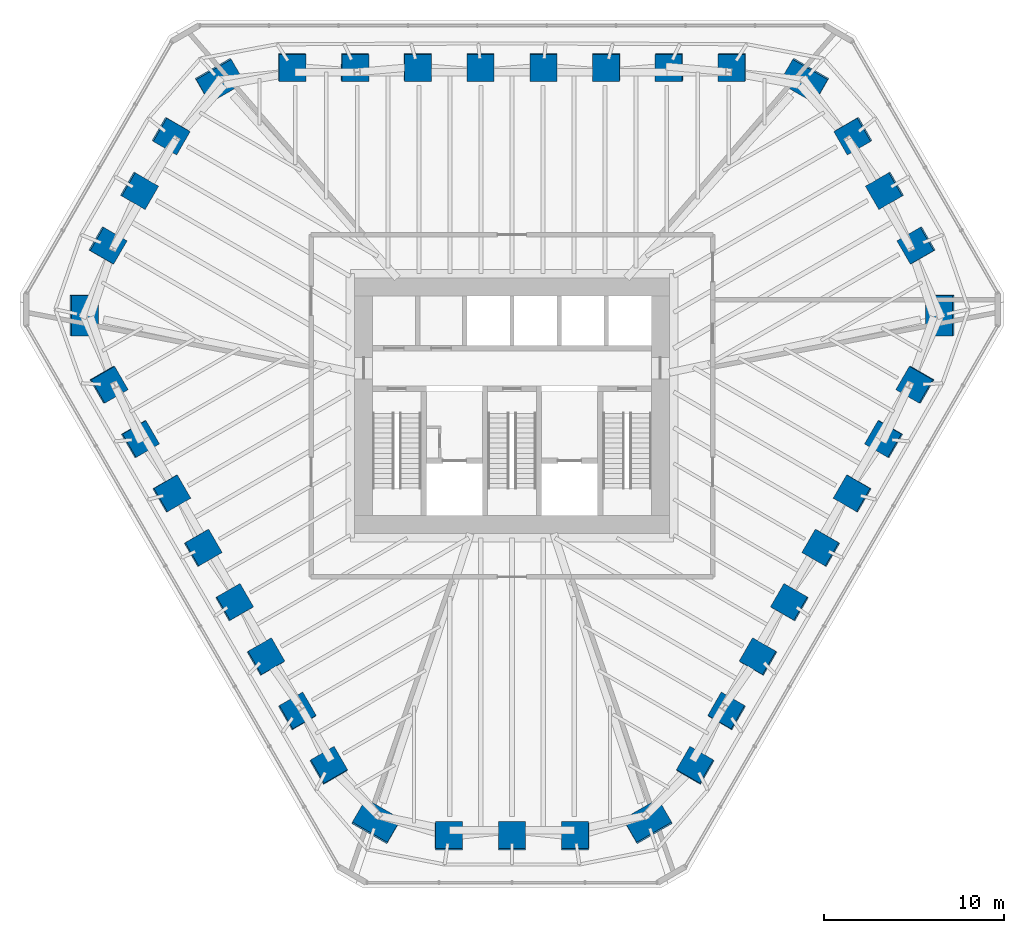
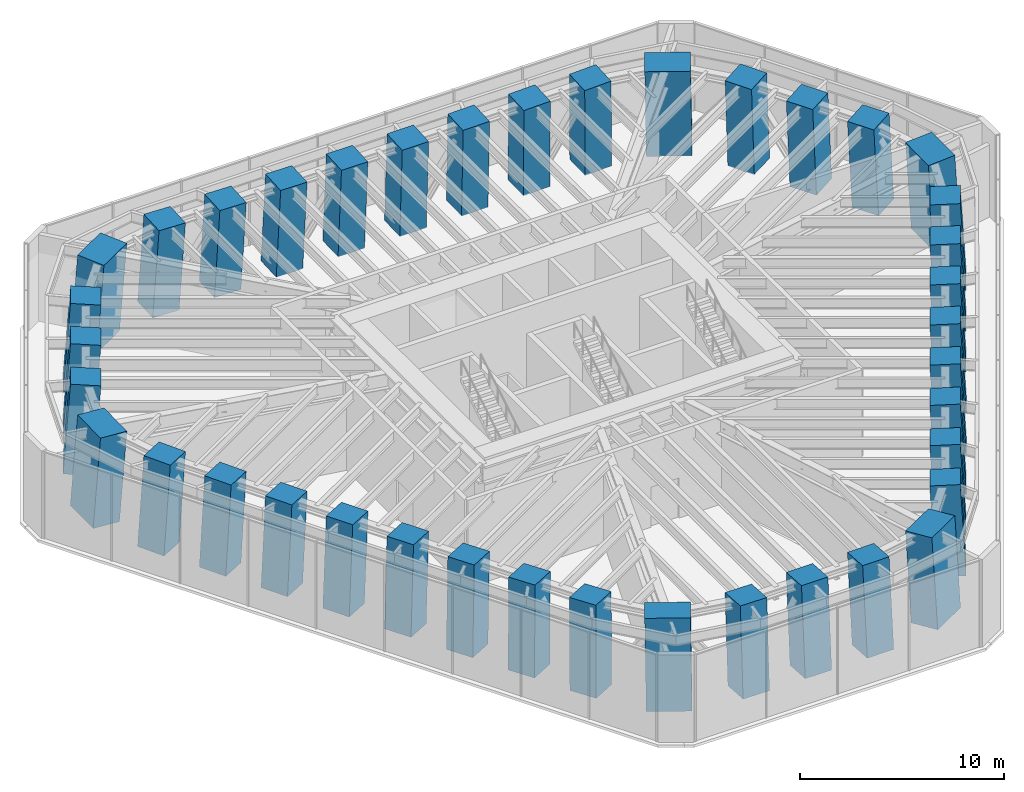
# One storey, part 1 of 13: 39 columns.
"""IFC4 building model written with IfcOpenShell, lengths in metres."""

from ifc_helpers import new_model, si_unit, direction, frame, origin, origin_2d, place, context, subcontext, project, spatial, rectangle, extrude, material, material_profile, profile_set, type_object, element, save


model = new_model("IFC4")

# Units and contexts
model_context = context("Model", 3, precision=1e-05, world=origin(), true_north=direction((0.0, 1.0)))
body_context = subcontext(model_context, "Body", "Model", "MODEL_VIEW")
ifc_project = project(units=[si_unit("LENGTHUNIT", "METRE"), si_unit("AREAUNIT", "SQUARE_METRE"), si_unit("VOLUMEUNIT", "CUBIC_METRE"), si_unit("PLANEANGLEUNIT", "RADIAN"), si_unit("MASSUNIT", "GRAM", prefix="KILO")], contexts=[model_context])

# Site, building, storey
site_placement = place(None, origin())
site = spatial("IfcSite", under=ifc_project, at=site_placement, CompositionType="ELEMENT")
building_placement = place(site_placement, origin())
building = spatial("IfcBuilding", under=site, at=building_placement, Name="Sandreach Pilgrim Tower", CompositionType="ELEMENT")
storey_placement = place(building_placement, frame((0.0, 0.0, 251.60009765625)))
storey = spatial("IfcBuildingStorey", under=building, at=storey_placement, Name="L63", CompositionType="ELEMENT", Elevation=251.60009765625)

# Columns
ifc_material_1 = material(Name="Concrete 10000 psi", Category="concrete")
ifc_material_profile_1 = material_profile(ifc_material_1, rectangle(XDim=1.5, YDim=1.5, at=origin_2d()), Name="RC1500X1500")
ifc_profile_set_1 = profile_set([ifc_material_profile_1], Name="Concrete 10000 psi")
column_type_1 = type_object("IfcColumnType", Name="Raked tube column RC1500X1500", PredefinedType="COLUMN", material=ifc_profile_set_1)
column_1_placement = place(storey_placement, frame((-12.246826171875, 18.85791015625, 0.0), z_axis=(0.035406986741, -0.054549602798, 0.997883102435), x_axis=(0.00218109941, 0.998511031505, 0.054506538759)))
element("IfcColumn", 1, at=column_1_placement, inside=storey, type_object=column_type_1, Name="COL L63 T01", PredefinedType="COLUMN", context=body_context, shape_type="SweptSolid", body=[
    extrude(rectangle(XDim=1.5, YDim=1.5, at=origin_2d()), origin(), (0.0, 0.0, 1.0), 5.34375),
])
column_2_placement = place(storey_placement, frame((-8.748046875, 18.8583984375, 0.0), z_axis=(0.025327774033, -0.054580212151, 0.998188110681), x_axis=(0.001244888644, 0.998509379529, 0.05456619141)))
element("IfcColumn", 2, at=column_2_placement, inside=storey, type_object=column_type_1, Name="COL L63 T02", PredefinedType="COLUMN", context=body_context, shape_type="SweptSolid", body=[
    extrude(rectangle(XDim=1.5, YDim=1.5, at=origin_2d()), origin(), (0.0, 0.0, 1.0), 5.349853515625),
])
column_3_placement = place(storey_placement, frame((-5.248779296875, 18.858642578125, 0.0), z_axis=(0.015178304388, -0.054559850908, 0.998395133073), x_axis=(0.000951645806, 0.998510494565, 0.054551687543)))
element("IfcColumn", 3, at=column_3_placement, inside=storey, type_object=column_type_1, Name="COL L63 T03", PredefinedType="COLUMN", context=body_context, shape_type="SweptSolid", body=[
    extrude(rectangle(XDim=1.5, YDim=1.5, at=origin_2d()), origin(), (0.0, 0.0, 1.0), 5.356201171875),
])
for number, where, z_axis, x_axis, name in (
    (4, (-1.749755859375, 18.859130859375, 0.0), (0.005098317726, -0.054579312088, 0.998496422552), (-0.000352371259, 0.998509239639, 0.054581811895), "COL L63 T04"),
    (5, (1.749755859375, 18.859130859375, 0.0), (-0.005098317726, -0.054579312088, 0.998496422552), (0.000352371259, 0.998509239639, 0.054581811895), "COL L63 T05"),
):
    element("IfcColumn", number, at=place(storey_placement, frame(where, z_axis=z_axis, x_axis=x_axis)), inside=storey, type_object=column_type_1, Name=name, PredefinedType="COLUMN", context=body_context, shape_type="SweptSolid", body=[
        extrude(rectangle(XDim=1.5, YDim=1.5, at=origin_2d()), origin(), (0.0, 0.0, 1.0), 5.36328125),
    ])
column_4_placement = place(storey_placement, frame((5.248779296875, 18.858642578125, 0.0), z_axis=(-0.015178304388, -0.054559850908, 0.998395133073), x_axis=(-0.000951645806, 0.998510494565, 0.054551687543)))
element("IfcColumn", 6, at=column_4_placement, inside=storey, type_object=column_type_1, Name="COL L63 T06", PredefinedType="COLUMN", context=body_context, shape_type="SweptSolid", body=[
    extrude(rectangle(XDim=1.5, YDim=1.5, at=origin_2d()), origin(), (0.0, 0.0, 1.0), 5.356201171875),
])
column_5_placement = place(storey_placement, frame((8.748046875, 18.8583984375, 0.0), z_axis=(-0.025327774033, -0.054580212151, 0.998188110681), x_axis=(-0.001244888644, 0.998509379529, 0.05456619141)))
element("IfcColumn", 7, at=column_5_placement, inside=storey, type_object=column_type_1, Name="COL L63 T07", PredefinedType="COLUMN", context=body_context, shape_type="SweptSolid", body=[
    extrude(rectangle(XDim=1.5, YDim=1.5, at=origin_2d()), origin(), (0.0, 0.0, 1.0), 5.349853515625),
])
column_6_placement = place(storey_placement, frame((12.246826171875, 18.85791015625, 0.0), z_axis=(-0.035406986741, -0.054549602798, 0.997883102435), x_axis=(-0.00218109941, 0.998511031505, 0.054506538759)))
element("IfcColumn", 8, at=column_6_placement, inside=storey, type_object=column_type_1, Name="COL L63 T08", PredefinedType="COLUMN", context=body_context, shape_type="SweptSolid", body=[
    extrude(rectangle(XDim=1.5, YDim=1.5, at=origin_2d()), origin(), (0.0, 0.0, 1.0), 5.34375),
])
column_7_placement = place(storey_placement, frame((18.992919921875, 15.029296875, 0.0), z_axis=(-0.054035227668, -0.042772188652, 0.997622540868), x_axis=(0.864272798204, 0.498381379505, 0.068180135289)))
element("IfcColumn", 9, at=column_7_placement, inside=storey, type_object=column_type_1, Name="COL L63 T10", PredefinedType="COLUMN", context=body_context, shape_type="SweptSolid", body=[
    extrude(rectangle(XDim=1.5, YDim=1.5, at=origin_2d()), origin(), (0.0, 0.0, 1.0), 5.35400390625),
])
column_8_placement = place(storey_placement, frame((20.7529296875, 11.981689453125, 0.0), z_axis=(-0.05901628324, -0.034061867179, 0.997675732649), x_axis=(0.864083526647, 0.498714874948, 0.068140534803)))
element("IfcColumn", 10, at=column_8_placement, inside=storey, type_object=column_type_1, Name="COL L63 T11", PredefinedType="COLUMN", context=body_context, shape_type="SweptSolid", body=[
    extrude(rectangle(XDim=1.5, YDim=1.5, at=origin_2d()), origin(), (0.0, 0.0, 1.0), 5.361328125),
])
column_9_placement = place(storey_placement, frame((22.51220703125, 8.933837890625, 0.0), z_axis=(-0.064067070627, -0.025398831558, 0.997622328247), x_axis=(0.863841338514, 0.49912843617, 0.068183180344)))
element("IfcColumn", 11, at=column_9_placement, inside=storey, type_object=column_type_1, Name="COL L63 T12", PredefinedType="COLUMN", context=body_context, shape_type="SweptSolid", body=[
    extrude(rectangle(XDim=1.5, YDim=1.5, at=origin_2d()), origin(), (0.0, 0.0, 1.0), 5.35400390625),
])
column_10_placement = place(storey_placement, frame((22.454833984375, 1.17724609375, 0.0), z_axis=(-0.064920517945, -0.003426487576, 0.997884555213), x_axis=(0.863948256114, -0.500624095241, 0.054487852065)))
element("IfcColumn", 12, at=column_10_placement, inside=storey, type_object=column_type_1, Name="COL L63 T14", PredefinedType="COLUMN", context=body_context, shape_type="SweptSolid", body=[
    extrude(rectangle(XDim=1.5, YDim=1.5, at=origin_2d()), origin(), (0.0, 0.0, 1.0), 5.34375),
])
column_11_placement = place(storey_placement, frame((20.705810546875, -1.853271484375, 0.0), z_axis=(-0.059919614923, 0.005385007282, 0.998188680282), x_axis=(0.863859964599, -0.500768836385, 0.054557621552)))
element("IfcColumn", 13, at=column_11_placement, inside=storey, type_object=column_type_1, Name="COL L63 T15", PredefinedType="COLUMN", context=body_context, shape_type="SweptSolid", body=[
    extrude(rectangle(XDim=1.5, YDim=1.5, at=origin_2d()), origin(), (0.0, 0.0, 1.0), 5.349853515625),
])
column_12_placement = place(storey_placement, frame((18.95654296875, -4.8837890625, 0.0), z_axis=(-0.054833356028, 0.014129958744, 0.998395536515), x_axis=(0.864290960866, -0.500025995173, 0.054544835848)))
element("IfcColumn", 14, at=column_12_placement, inside=storey, type_object=column_type_1, Name="COL L63 T16", PredefinedType="COLUMN", context=body_context, shape_type="SweptSolid", body=[
    extrude(rectangle(XDim=1.5, YDim=1.5, at=origin_2d()), origin(), (0.0, 0.0, 1.0), 5.356201171875),
])
for number, where, z_axis, x_axis, name in (
    (15, (17.207275390625, -7.914306640625, 0.0), (-0.049799654698, 0.022896916191, 0.998496732904), (0.864661359094, -0.499381792186, 0.054576182736), "COL L63 T17"),
    (16, (15.457763671875, -10.94482421875, 0.0), (-0.044746816225, 0.031682384631, 0.998495843227), (0.864877423325, -0.499005732861, 0.054592318085), "COL L63 T18"),
):
    element("IfcColumn", number, at=place(storey_placement, frame(where, z_axis=z_axis, x_axis=x_axis)), inside=storey, type_object=column_type_1, Name=name, PredefinedType="COLUMN", context=body_context, shape_type="SweptSolid", body=[
        extrude(rectangle(XDim=1.5, YDim=1.5, at=origin_2d()), origin(), (0.0, 0.0, 1.0), 5.36328125),
    ])
column_13_placement = place(storey_placement, frame((13.707763671875, -13.97509765625, 0.0), z_axis=(-0.039700539372, 0.040429825973, 0.998393357523), x_axis=(0.865426420791, -0.498054147504, 0.05458183169)))
element("IfcColumn", 17, at=column_13_placement, inside=storey, type_object=column_type_1, Name="COL L63 T19", PredefinedType="COLUMN", context=body_context, shape_type="SweptSolid", body=[
    extrude(rectangle(XDim=1.5, YDim=1.5, at=origin_2d()), origin(), (0.0, 0.0, 1.0), 5.356201171875),
])
column_14_placement = place(storey_placement, frame((11.957763671875, -17.005126953125, 0.0), z_axis=(-0.034591871283, 0.049195299793, 0.998189974363), x_axis=(0.865415547583, -0.498077825809, 0.054538146632)))
element("IfcColumn", 18, at=column_14_placement, inside=storey, type_object=column_type_1, Name="COL L63 T20", PredefinedType="COLUMN", context=body_context, shape_type="SweptSolid", body=[
    extrude(rectangle(XDim=1.5, YDim=1.5, at=origin_2d()), origin(), (0.0, 0.0, 1.0), 5.349853515625),
])
column_15_placement = place(storey_placement, frame((10.2080078125, -20.03515625, 0.0), z_axis=(-0.029513393075, 0.05797599971, 0.997881627793), x_axis=(0.865527757917, -0.497884193476, 0.054525500098)))
element("IfcColumn", 19, at=column_15_placement, inside=storey, type_object=column_type_1, Name="COL L63 T21", PredefinedType="COLUMN", context=body_context, shape_type="SweptSolid", body=[
    extrude(rectangle(XDim=1.5, YDim=1.5, at=origin_2d()), origin(), (0.0, 0.0, 1.0), 5.34375),
])
column_16_placement = place(storey_placement, frame((3.519287109375, -23.962890625, 0.0), z_axis=(-0.010031894505, 0.06812568359, 0.997626308959), x_axis=(-0.000295826189, -0.997676671297, 0.068126147964)))
element("IfcColumn", 20, at=column_16_placement, inside=storey, type_object=column_type_1, Name="COL L63 T23", PredefinedType="COLUMN", context=body_context, shape_type="SweptSolid", body=[
    extrude(rectangle(XDim=1.5, YDim=1.5, at=origin_2d()), origin(), (0.0, 0.0, 1.0), 5.35400390625),
])
column_17_placement = place(storey_placement, frame((0.0, -23.96337890625, 0.0), z_axis=(0.0, 0.068123812336, 0.997676874641), x_axis=(0.0, -0.997676874641, 0.068123812336)))
element("IfcColumn", 21, at=column_17_placement, inside=storey, type_object=column_type_1, Name="COL L63 T24", PredefinedType="COLUMN", context=body_context, shape_type="SweptSolid", body=[
    extrude(rectangle(XDim=1.5, YDim=1.5, at=origin_2d()), origin(), (0.0, 0.0, 1.0), 5.361328125),
])
column_18_placement = place(storey_placement, frame((-3.519287109375, -23.962890625, 0.0), z_axis=(0.010031894505, 0.06812568359, 0.997626308959), x_axis=(0.000295826189, -0.997676671297, 0.068126147964)))
element("IfcColumn", 22, at=column_18_placement, inside=storey, type_object=column_type_1, Name="COL L63 T25", PredefinedType="COLUMN", context=body_context, shape_type="SweptSolid", body=[
    extrude(rectangle(XDim=1.5, YDim=1.5, at=origin_2d()), origin(), (0.0, 0.0, 1.0), 5.35400390625),
])
column_19_placement = place(storey_placement, frame((-10.2080078125, -20.03515625, 0.0), z_axis=(0.029513393075, 0.05797599971, 0.997881627793), x_axis=(-0.865527757917, -0.497884193476, 0.054525500098)))
element("IfcColumn", 23, at=column_19_placement, inside=storey, type_object=column_type_1, Name="COL L63 T27", PredefinedType="COLUMN", context=body_context, shape_type="SweptSolid", body=[
    extrude(rectangle(XDim=1.5, YDim=1.5, at=origin_2d()), origin(), (0.0, 0.0, 1.0), 5.34375),
])
column_20_placement = place(storey_placement, frame((-11.957763671875, -17.005126953125, 0.0), z_axis=(0.034591871283, 0.049195299793, 0.998189974363), x_axis=(-0.865415547583, -0.498077825809, 0.054538146632)))
element("IfcColumn", 24, at=column_20_placement, inside=storey, type_object=column_type_1, Name="COL L63 T28", PredefinedType="COLUMN", context=body_context, shape_type="SweptSolid", body=[
    extrude(rectangle(XDim=1.5, YDim=1.5, at=origin_2d()), origin(), (0.0, 0.0, 1.0), 5.349853515625),
])
column_21_placement = place(storey_placement, frame((-13.707763671875, -13.97509765625, 0.0), z_axis=(0.039700539372, 0.040429825973, 0.998393357523), x_axis=(-0.865426420791, -0.498054147504, 0.05458183169)))
element("IfcColumn", 25, at=column_21_placement, inside=storey, type_object=column_type_1, Name="COL L63 T29", PredefinedType="COLUMN", context=body_context, shape_type="SweptSolid", body=[
    extrude(rectangle(XDim=1.5, YDim=1.5, at=origin_2d()), origin(), (0.0, 0.0, 1.0), 5.356201171875),
])
for number, where, z_axis, x_axis, name in (
    (26, (-15.457763671875, -10.94482421875, 0.0), (0.044746816225, 0.031682384631, 0.998495843227), (-0.864877423325, -0.499005732861, 0.054592318085), "COL L63 T30"),
    (27, (-17.207275390625, -7.914306640625, 0.0), (0.049799654698, 0.022896916191, 0.998496732904), (-0.864661359094, -0.499381792186, 0.054576182736), "COL L63 T31"),
):
    element("IfcColumn", number, at=place(storey_placement, frame(where, z_axis=z_axis, x_axis=x_axis)), inside=storey, type_object=column_type_1, Name=name, PredefinedType="COLUMN", context=body_context, shape_type="SweptSolid", body=[
        extrude(rectangle(XDim=1.5, YDim=1.5, at=origin_2d()), origin(), (0.0, 0.0, 1.0), 5.36328125),
    ])
column_22_placement = place(storey_placement, frame((-18.95654296875, -4.8837890625, 0.0), z_axis=(0.054833356028, 0.014129958744, 0.998395536515), x_axis=(-0.864290960866, -0.500025995173, 0.054544835848)))
element("IfcColumn", 28, at=column_22_placement, inside=storey, type_object=column_type_1, Name="COL L63 T32", PredefinedType="COLUMN", context=body_context, shape_type="SweptSolid", body=[
    extrude(rectangle(XDim=1.5, YDim=1.5, at=origin_2d()), origin(), (0.0, 0.0, 1.0), 5.356201171875),
])
column_23_placement = place(storey_placement, frame((-20.705810546875, -1.853271484375, 0.0), z_axis=(0.059919614923, 0.005385007282, 0.998188680282), x_axis=(-0.863859964599, -0.500768836385, 0.054557621552)))
element("IfcColumn", 29, at=column_23_placement, inside=storey, type_object=column_type_1, Name="COL L63 T33", PredefinedType="COLUMN", context=body_context, shape_type="SweptSolid", body=[
    extrude(rectangle(XDim=1.5, YDim=1.5, at=origin_2d()), origin(), (0.0, 0.0, 1.0), 5.349853515625),
])
column_24_placement = place(storey_placement, frame((-22.454833984375, 1.17724609375, 0.0), z_axis=(0.064920517945, -0.003426487576, 0.997884555213), x_axis=(-0.863948256114, -0.500624095241, 0.054487852065)))
element("IfcColumn", 30, at=column_24_placement, inside=storey, type_object=column_type_1, Name="COL L63 T34", PredefinedType="COLUMN", context=body_context, shape_type="SweptSolid", body=[
    extrude(rectangle(XDim=1.5, YDim=1.5, at=origin_2d()), origin(), (0.0, 0.0, 1.0), 5.34375),
])
column_25_placement = place(storey_placement, frame((-22.51220703125, 8.933837890625, 0.0), z_axis=(0.064067070627, -0.025398831558, 0.997622328247), x_axis=(-0.863841338514, 0.49912843617, 0.068183180344)))
element("IfcColumn", 31, at=column_25_placement, inside=storey, type_object=column_type_1, Name="COL L63 T36", PredefinedType="COLUMN", context=body_context, shape_type="SweptSolid", body=[
    extrude(rectangle(XDim=1.5, YDim=1.5, at=origin_2d()), origin(), (0.0, 0.0, 1.0), 5.35400390625),
])
column_26_placement = place(storey_placement, frame((-20.7529296875, 11.981689453125, 0.0), z_axis=(0.05901628324, -0.034061867179, 0.997675732649), x_axis=(-0.864083526647, 0.498714874948, 0.068140534803)))
element("IfcColumn", 32, at=column_26_placement, inside=storey, type_object=column_type_1, Name="COL L63 T37", PredefinedType="COLUMN", context=body_context, shape_type="SweptSolid", body=[
    extrude(rectangle(XDim=1.5, YDim=1.5, at=origin_2d()), origin(), (0.0, 0.0, 1.0), 5.361328125),
])
column_27_placement = place(storey_placement, frame((-18.992919921875, 15.029296875, 0.0), z_axis=(0.054035227668, -0.042772188652, 0.997622540868), x_axis=(-0.864272798204, 0.498381379505, 0.068180135289)))
element("IfcColumn", 33, at=column_27_placement, inside=storey, type_object=column_type_1, Name="COL L63 T38", PredefinedType="COLUMN", context=body_context, shape_type="SweptSolid", body=[
    extrude(rectangle(XDim=1.5, YDim=1.5, at=origin_2d()), origin(), (0.0, 0.0, 1.0), 5.35400390625),
])
ifc_material_2 = material(Name="Concrete 10000 psi", Category="concrete")
ifc_material_profile_2 = material_profile(ifc_material_2, rectangle(XDim=1.5, YDim=2.25, at=origin_2d()), Name="RC1500X2250")
ifc_profile_set_2 = profile_set([ifc_material_profile_2], Name="Concrete 10000 psi")
column_type_2 = type_object("IfcColumnType", Name="Raked tube corner pier RC1500X2250", PredefinedType="COLUMN", material=ifc_profile_set_2)
for number, where, z_axis, x_axis, name in (
    (34, (16.2705078125, 18.119873046875, 0.0), (-0.047505072471, -0.052895071078, 0.997469488027), (0.497979226765, 0.864395060931, 0.069554786665), "COL L63 T09"),
    (35, (23.827392578125, 5.03076171875, 0.0), (-0.069522066856, -0.014662669817, 0.997472650419), (0.99758039044, -0.001238756614, 0.069511366643), "COL L63 T13"),
    (36, (7.556884765625, -23.150390625, 0.0), (-0.022016906181, 0.067512421859, 0.997475477762), (0.49943468093, -0.863561560008, 0.069472523785), "COL L63 T22"),
    (37, (-7.556884765625, -23.150390625, 0.0), (0.022016906181, 0.067512421859, 0.997475477762), (-0.49943468093, -0.863561560008, 0.069472523785), "COL L63 T26"),
    (38, (-23.827392578125, 5.03076171875, 0.0), (0.069522066856, -0.014662669817, 0.997472650419), (-0.99758039044, -0.001238756614, 0.069511366643), "COL L63 T35"),
    (39, (-16.2705078125, 18.119873046875, 0.0), (0.047505072471, -0.052895071078, 0.997469488027), (-0.497979226765, 0.864395060931, 0.069554786665), "COL L63 T39"),
):
    element("IfcColumn", number, at=place(storey_placement, frame(where, z_axis=z_axis, x_axis=x_axis)), inside=storey, type_object=column_type_2, Name=name, PredefinedType="COLUMN", context=body_context, shape_type="SweptSolid", body=[
        extrude(rectangle(XDim=1.5, YDim=2.25, at=origin_2d()), origin(), (0.0, 0.0, 1.0), 5.3447265625),
    ])

save(model, "model.ifc")
